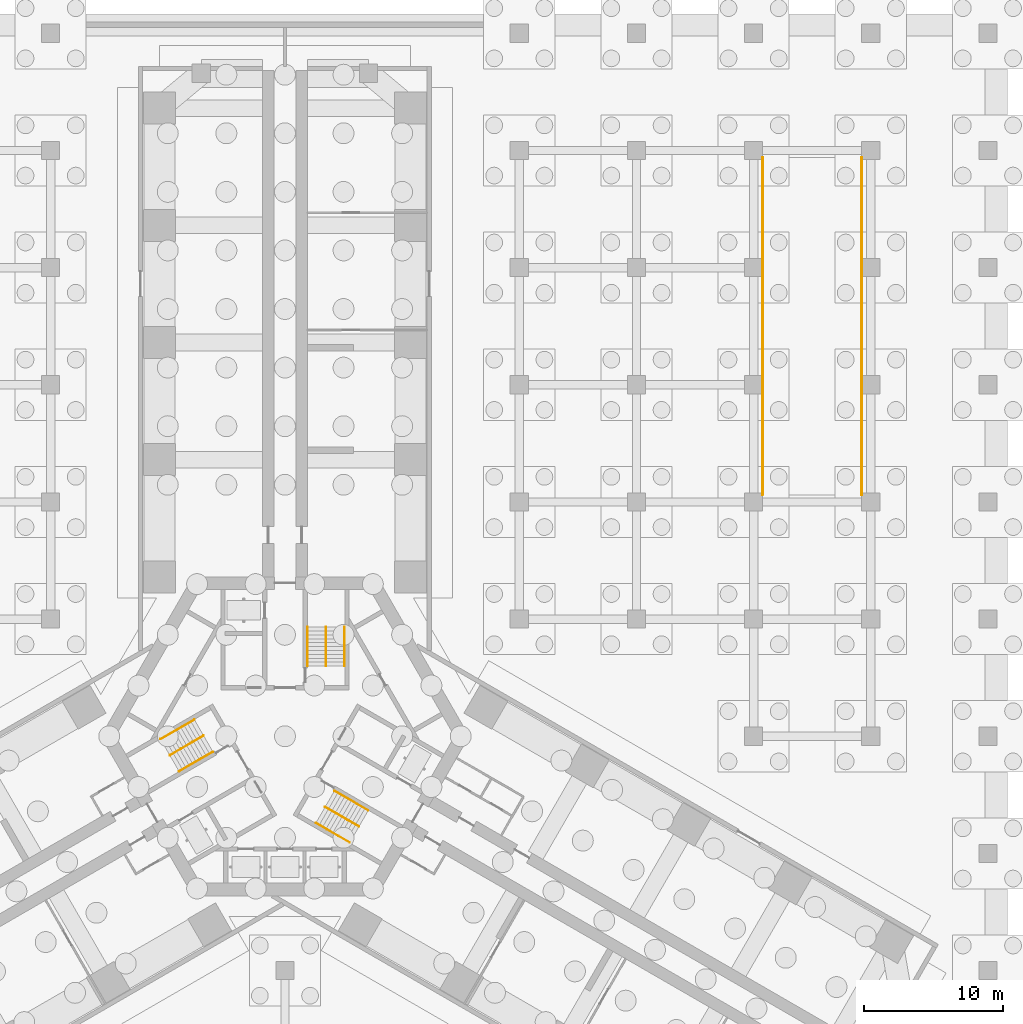
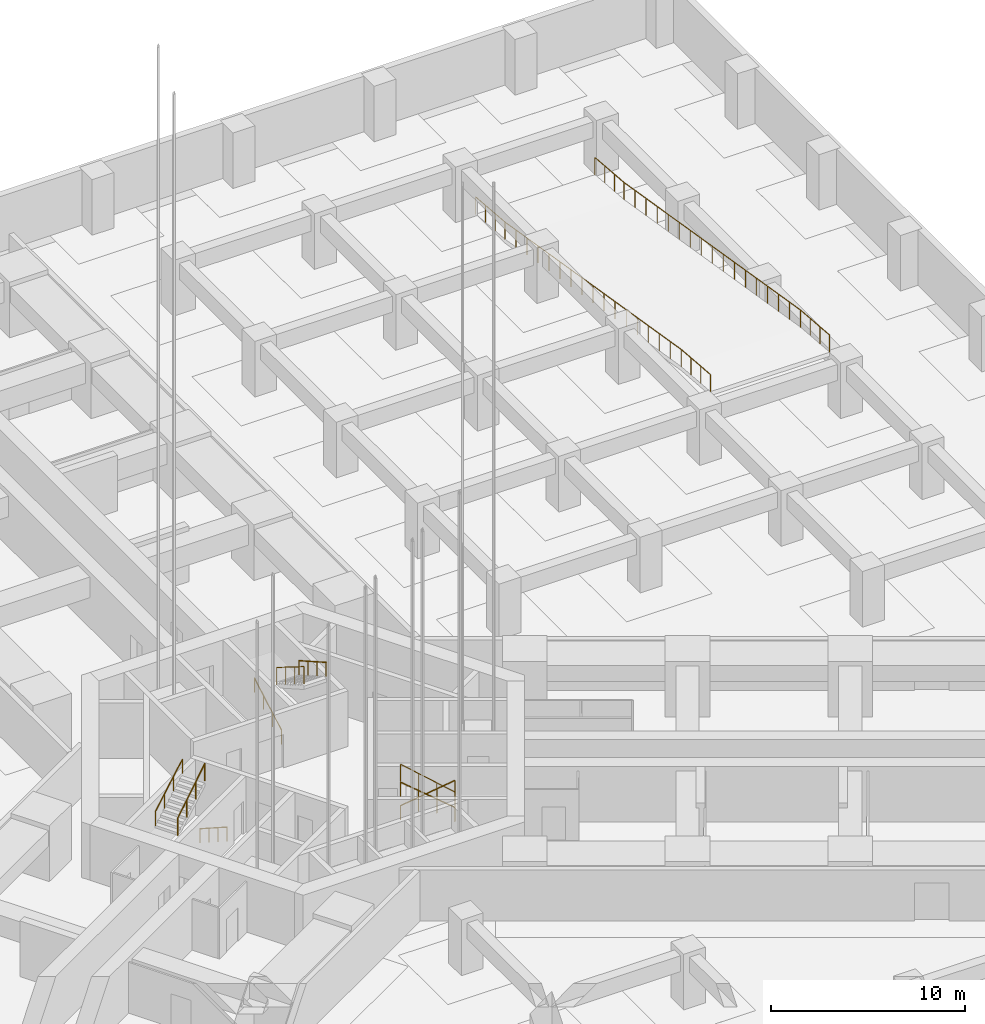
# One storey, part 60 of 73: 11 railings.
"""IFC4 building model written with IfcOpenShell, lengths in metres."""

from ifc_helpers import new_model, si_unit, direction, frame, origin, origin_2d, place, context, subcontext, project, spatial, circle, extrude, material, type_object, element, save


model = new_model("IFC4")

# Units and contexts
model_context = context("Model", 3, precision=1e-05, world=origin(), true_north=direction((0.0, 1.0)))
body_context = subcontext(model_context, "Body", "Model", "MODEL_VIEW")
ifc_project = project(units=[si_unit("LENGTHUNIT", "METRE"), si_unit("AREAUNIT", "SQUARE_METRE"), si_unit("VOLUMEUNIT", "CUBIC_METRE"), si_unit("PLANEANGLEUNIT", "RADIAN"), si_unit("MASSUNIT", "GRAM", prefix="KILO")], contexts=[model_context])

# Site, building, storey
site_placement = place(None, origin())
site = spatial("IfcSite", under=ifc_project, at=site_placement, CompositionType="ELEMENT")
building_placement = place(site_placement, origin())
building = spatial("IfcBuilding", under=site, at=building_placement, Name="Impinga Residences", CompositionType="ELEMENT")
storey_placement = place(building_placement, frame((0.0, 0.0, -10.5)))
storey = spatial("IfcBuildingStorey", under=building, at=storey_placement, Name="B3", CompositionType="ELEMENT", Elevation=-10.5)

# Railings
ifc_material_1 = material(Name="Steel guard, powder coated", Category="steel")
railing_type_1 = type_object("IfcRailingType", Name="GR1 stair guard 1100", PredefinedType="GUARDRAIL", material=ifc_material_1)
railing_1_placement = place(storey_placement, frame((2.949951171875, 7.830078125, 1.75)))
element("IfcRailing", 1, at=railing_1_placement, inside=storey, type_object=railing_type_1, Name="Stair guard GR1 ST1 B3", PredefinedType="GUARDRAIL", context=body_context, shape_type="SweptSolid", body=[
    extrude(circle(Radius=0.02392578125, at=origin_2d()), frame((0.0, 0.0, 1.076171875), z_axis=(0.0, -0.848002457836, 0.529992293815), x_axis=(1.0, 0.0, 0.0)), (0.0, 0.0, 1.0), 3.302001953125),
    extrude(circle(Radius=0.02099609375, at=origin_2d()), origin(), (0.0, 0.0, 1.0), 1.052001953125),
    extrude(circle(Radius=0.02099609375, at=origin_2d()), frame((0.0, -0.933349609375, 0.583251953125)), (0.0, 0.0, 1.0), 1.052001953125),
    extrude(circle(Radius=0.02099609375, at=origin_2d()), frame((0.0, -1.86669921875, 1.166748046875)), (0.0, 0.0, 1.0), 1.052001953125),
    extrude(circle(Radius=0.02099609375, at=origin_2d()), frame((0.0, -2.800048828125, 1.75)), (0.0, 0.0, 1.0), 1.052001953125),
])
railing_2_placement = place(storey_placement, frame((-8.255859375, -1.360107421875, 1.75)))
element("IfcRailing", 2, at=railing_2_placement, inside=storey, type_object=railing_type_1, Name="Stair guard GR1 ST2 B3", PredefinedType="GUARDRAIL", context=body_context, shape_type="SweptSolid", body=[
    extrude(circle(Radius=0.02392578125, at=origin_2d()), frame((0.0, 0.0, 1.076171875), z_axis=(0.734388012738, 0.423981158381, 0.530013418778), x_axis=(-0.49998411664, 0.866034573852, 0.0)), (0.0, 0.0, 1.0), 3.3017578125),
    extrude(circle(Radius=0.02099609375, at=origin_2d()), origin(), (0.0, 0.0, 1.0), 1.052001953125),
    extrude(circle(Radius=0.02099609375, at=origin_2d()), frame((0.808349609375, 0.466552734375, 0.583251953125)), (0.0, 0.0, 1.0), 1.052001953125),
    extrude(circle(Radius=0.02099609375, at=origin_2d()), frame((1.616455078125, 0.933349609375, 1.166748046875)), (0.0, 0.0, 1.0), 1.052001953125),
    extrude(circle(Radius=0.02099609375, at=origin_2d()), frame((2.4248046875, 1.39990234375, 1.75)), (0.0, 0.0, 1.0), 1.052001953125),
])
railing_3_placement = place(storey_placement, frame((5.305908203125, -6.4697265625, 1.75)))
element("IfcRailing", 3, at=railing_3_placement, inside=storey, type_object=railing_type_1, Name="Stair guard GR1 ST3 B3", PredefinedType="GUARDRAIL", context=body_context, shape_type="SweptSolid", body=[
    extrude(circle(Radius=0.02392578125, at=origin_2d()), frame((0.0, 0.0, 1.076171875), z_axis=(-0.734388012738, 0.423981158381, 0.530013418778), x_axis=(-0.49998411664, -0.866034573852, 0.0)), (0.0, 0.0, 1.0), 3.3017578125),
    extrude(circle(Radius=0.02099609375, at=origin_2d()), origin(), (0.0, 0.0, 1.0), 1.052001953125),
    extrude(circle(Radius=0.02099609375, at=origin_2d()), frame((-0.808349609375, 0.466552734375, 0.583251953125)), (0.0, 0.0, 1.0), 1.052001953125),
    extrude(circle(Radius=0.02099609375, at=origin_2d()), frame((-1.616455078125, 0.933349609375, 1.166748046875)), (0.0, 0.0, 1.0), 1.052001953125),
    extrude(circle(Radius=0.02099609375, at=origin_2d()), frame((-2.4248046875, 1.39990234375, 1.75)), (0.0, 0.0, 1.0), 1.052001953125),
])
ifc_material_2 = material(Name="Steel guard, galvanised", Category="steel")
railing_type_2 = type_object("IfcRailingType", Name="GR2 ramp and opening guard 1100", PredefinedType="GUARDRAIL", material=ifc_material_2)
railing_4_placement = place(storey_placement, frame((34.25, 41.5, 0.0)))
element("IfcRailing", 4, at=railing_4_placement, inside=storey, type_object=railing_type_2, Name="Ramp guard GR2 W B3", PredefinedType="GUARDRAIL", context=body_context, shape_type="SweptSolid", body=[
    extrude(circle(Radius=0.02392578125, at=origin_2d()), frame((0.0, 0.0, 1.076171875), z_axis=(0.0, -0.99661255374, 0.082240000773), x_axis=(1.0, 0.0, 0.0)), (0.0, 0.0, 1.0), 3.01025390625),
    extrude(circle(Radius=0.02392578125, at=origin_2d()), frame((0.0, -3.0, 1.32373046875), z_axis=(0.0, -0.986642820524, 0.162898571841), x_axis=(1.0, 0.0, 0.0)), (0.0, 0.0, 1.0), 18.4462890625),
    extrude(circle(Radius=0.02392578125, at=origin_2d()), frame((0.0, -21.199951171875, 4.32861328125), z_axis=(0.0, -0.99661255374, 0.082240000773), x_axis=(1.0, 0.0, 0.0)), (0.0, 0.0, 1.0), 3.01025390625),
    extrude(circle(Radius=0.02099609375, at=origin_2d()), origin(), (0.0, 0.0, 1.0), 1.052001953125),
    extrude(circle(Radius=0.02099609375, at=origin_2d()), frame((0.0, -1.0, 0.08251953125)), (0.0, 0.0, 1.0), 1.052001953125),
    extrude(circle(Radius=0.02099609375, at=origin_2d()), frame((0.0, -2.0, 0.1650390625)), (0.0, 0.0, 1.0), 1.052001953125),
    extrude(circle(Radius=0.02099609375, at=origin_2d()), frame((0.0, -3.0, 0.24755859375)), (0.0, 0.0, 1.0), 1.052001953125),
    extrude(circle(Radius=0.02099609375, at=origin_2d()), frame((0.0, -4.137451171875, 0.435302734375)), (0.0, 0.0, 1.0), 1.052001953125),
    extrude(circle(Radius=0.02099609375, at=origin_2d()), frame((0.0, -5.27490234375, 0.623046875)), (0.0, 0.0, 1.0), 1.052001953125),
    extrude(circle(Radius=0.02099609375, at=origin_2d()), frame((0.0, -6.41259765625, 0.81103515625)), (0.0, 0.0, 1.0), 1.052001953125),
    extrude(circle(Radius=0.02099609375, at=origin_2d()), frame((0.0, -7.550048828125, 0.998779296875)), (0.0, 0.0, 1.0), 1.052001953125),
    extrude(circle(Radius=0.02099609375, at=origin_2d()), frame((0.0, -8.6875, 1.1865234375)), (0.0, 0.0, 1.0), 1.052001953125),
    extrude(circle(Radius=0.02099609375, at=origin_2d()), frame((0.0, -9.824951171875, 1.37451171875)), (0.0, 0.0, 1.0), 1.052001953125),
    extrude(circle(Radius=0.02099609375, at=origin_2d()), frame((0.0, -10.96240234375, 1.562255859375)), (0.0, 0.0, 1.0), 1.052001953125),
    extrude(circle(Radius=0.02099609375, at=origin_2d()), frame((0.0, -12.10009765625, 1.75)), (0.0, 0.0, 1.0), 1.052001953125),
    extrude(circle(Radius=0.02099609375, at=origin_2d()), frame((0.0, -13.237548828125, 1.937744140625)), (0.0, 0.0, 1.0), 1.052001953125),
    extrude(circle(Radius=0.02099609375, at=origin_2d()), frame((0.0, -14.375, 2.12548828125)), (0.0, 0.0, 1.0), 1.052001953125),
    extrude(circle(Radius=0.02099609375, at=origin_2d()), frame((0.0, -15.512451171875, 2.3134765625)), (0.0, 0.0, 1.0), 1.052001953125),
    extrude(circle(Radius=0.02099609375, at=origin_2d()), frame((0.0, -16.64990234375, 2.501220703125)), (0.0, 0.0, 1.0), 1.052001953125),
    extrude(circle(Radius=0.02099609375, at=origin_2d()), frame((0.0, -17.787353515625, 2.68896484375)), (0.0, 0.0, 1.0), 1.052001953125),
    extrude(circle(Radius=0.02099609375, at=origin_2d()), frame((0.0, -18.925048828125, 2.876953125)), (0.0, 0.0, 1.0), 1.052001953125),
    extrude(circle(Radius=0.02099609375, at=origin_2d()), frame((0.0, -20.0625, 3.064697265625)), (0.0, 0.0, 1.0), 1.052001953125),
    extrude(circle(Radius=0.02099609375, at=origin_2d()), frame((0.0, -21.199951171875, 3.25244140625)), (0.0, 0.0, 1.0), 1.052001953125),
    extrude(circle(Radius=0.02099609375, at=origin_2d()), frame((0.0, -22.199951171875, 3.3349609375)), (0.0, 0.0, 1.0), 1.052001953125),
    extrude(circle(Radius=0.02099609375, at=origin_2d()), frame((0.0, -23.199951171875, 3.41748046875)), (0.0, 0.0, 1.0), 1.052001953125),
    extrude(circle(Radius=0.02099609375, at=origin_2d()), frame((0.0, -24.199951171875, 3.5)), (0.0, 0.0, 1.0), 1.052001953125),
])
railing_5_placement = place(storey_placement, frame((41.35009765625, 41.5, 0.0)))
element("IfcRailing", 5, at=railing_5_placement, inside=storey, type_object=railing_type_2, Name="Ramp guard GR2 E B3", PredefinedType="GUARDRAIL", context=body_context, shape_type="SweptSolid", body=[
    extrude(circle(Radius=0.02392578125, at=origin_2d()), frame((0.0, 0.0, 1.076171875), z_axis=(0.0, -0.99661255374, 0.082240000773), x_axis=(1.0, 0.0, 0.0)), (0.0, 0.0, 1.0), 3.01025390625),
    extrude(circle(Radius=0.02392578125, at=origin_2d()), frame((0.0, -3.0, 1.32373046875), z_axis=(0.0, -0.986642820524, 0.162898571841), x_axis=(1.0, 0.0, 0.0)), (0.0, 0.0, 1.0), 18.4462890625),
    extrude(circle(Radius=0.02392578125, at=origin_2d()), frame((0.0, -21.199951171875, 4.32861328125), z_axis=(0.0, -0.99661255374, 0.082240000773), x_axis=(1.0, 0.0, 0.0)), (0.0, 0.0, 1.0), 3.01025390625),
    extrude(circle(Radius=0.02099609375, at=origin_2d()), origin(), (0.0, 0.0, 1.0), 1.052001953125),
    extrude(circle(Radius=0.02099609375, at=origin_2d()), frame((0.0, -1.0, 0.08251953125)), (0.0, 0.0, 1.0), 1.052001953125),
    extrude(circle(Radius=0.02099609375, at=origin_2d()), frame((0.0, -2.0, 0.1650390625)), (0.0, 0.0, 1.0), 1.052001953125),
    extrude(circle(Radius=0.02099609375, at=origin_2d()), frame((0.0, -3.0, 0.24755859375)), (0.0, 0.0, 1.0), 1.052001953125),
    extrude(circle(Radius=0.02099609375, at=origin_2d()), frame((0.0, -4.137451171875, 0.435302734375)), (0.0, 0.0, 1.0), 1.052001953125),
    extrude(circle(Radius=0.02099609375, at=origin_2d()), frame((0.0, -5.27490234375, 0.623046875)), (0.0, 0.0, 1.0), 1.052001953125),
    extrude(circle(Radius=0.02099609375, at=origin_2d()), frame((0.0, -6.41259765625, 0.81103515625)), (0.0, 0.0, 1.0), 1.052001953125),
    extrude(circle(Radius=0.02099609375, at=origin_2d()), frame((0.0, -7.550048828125, 0.998779296875)), (0.0, 0.0, 1.0), 1.052001953125),
    extrude(circle(Radius=0.02099609375, at=origin_2d()), frame((0.0, -8.6875, 1.1865234375)), (0.0, 0.0, 1.0), 1.052001953125),
    extrude(circle(Radius=0.02099609375, at=origin_2d()), frame((0.0, -9.824951171875, 1.37451171875)), (0.0, 0.0, 1.0), 1.052001953125),
    extrude(circle(Radius=0.02099609375, at=origin_2d()), frame((0.0, -10.96240234375, 1.562255859375)), (0.0, 0.0, 1.0), 1.052001953125),
    extrude(circle(Radius=0.02099609375, at=origin_2d()), frame((0.0, -12.10009765625, 1.75)), (0.0, 0.0, 1.0), 1.052001953125),
    extrude(circle(Radius=0.02099609375, at=origin_2d()), frame((0.0, -13.237548828125, 1.937744140625)), (0.0, 0.0, 1.0), 1.052001953125),
    extrude(circle(Radius=0.02099609375, at=origin_2d()), frame((0.0, -14.375, 2.12548828125)), (0.0, 0.0, 1.0), 1.052001953125),
    extrude(circle(Radius=0.02099609375, at=origin_2d()), frame((0.0, -15.512451171875, 2.3134765625)), (0.0, 0.0, 1.0), 1.052001953125),
    extrude(circle(Radius=0.02099609375, at=origin_2d()), frame((0.0, -16.64990234375, 2.501220703125)), (0.0, 0.0, 1.0), 1.052001953125),
    extrude(circle(Radius=0.02099609375, at=origin_2d()), frame((0.0, -17.787353515625, 2.68896484375)), (0.0, 0.0, 1.0), 1.052001953125),
    extrude(circle(Radius=0.02099609375, at=origin_2d()), frame((0.0, -18.925048828125, 2.876953125)), (0.0, 0.0, 1.0), 1.052001953125),
    extrude(circle(Radius=0.02099609375, at=origin_2d()), frame((0.0, -20.0625, 3.064697265625)), (0.0, 0.0, 1.0), 1.052001953125),
    extrude(circle(Radius=0.02099609375, at=origin_2d()), frame((0.0, -21.199951171875, 3.25244140625)), (0.0, 0.0, 1.0), 1.052001953125),
    extrude(circle(Radius=0.02099609375, at=origin_2d()), frame((0.0, -22.199951171875, 3.3349609375)), (0.0, 0.0, 1.0), 1.052001953125),
    extrude(circle(Radius=0.02099609375, at=origin_2d()), frame((0.0, -23.199951171875, 3.41748046875)), (0.0, 0.0, 1.0), 1.052001953125),
    extrude(circle(Radius=0.02099609375, at=origin_2d()), frame((0.0, -24.199951171875, 3.5)), (0.0, 0.0, 1.0), 1.052001953125),
])
ifc_material_3 = material(Name="Steel handrail tube 42 mm, powder coated", Category="steel")
railing_type_3 = type_object("IfcRailingType", Name="HR1 stair handrail, 42 mm steel tube, 900 above the pitch line", PredefinedType="HANDRAIL", material=ifc_material_3)
railing_6_placement = place(storey_placement, frame((1.62109375, 5.030029296875, 0.1591796875)))
element("IfcRailing", 6, at=railing_6_placement, inside=storey, type_object=railing_type_3, Name="Stair handrail HR1 ST1 B3", PredefinedType="HANDRAIL", context=body_context, shape_type="SweptSolid", body=[
    extrude(circle(Radius=0.02099609375, at=origin_2d()), frame((0.0, 0.0, 0.87890625), z_axis=(0.0, 0.869472097993, 0.493982055151), x_axis=(-1.0, 0.0, 0.0)), (0.0, 0.0, 1.0), 3.220458984375),
    extrude(circle(Radius=0.012451171875, at=origin_2d()), origin(), (0.0, 0.0, 1.0), 0.85791015625),
    extrude(circle(Radius=0.012451171875, at=origin_2d()), frame((0.0, 0.933349609375, 0.5302734375)), (0.0, 0.0, 1.0), 0.85791015625),
    extrude(circle(Radius=0.012451171875, at=origin_2d()), frame((0.0, 1.86669921875, 1.060546875)), (0.0, 0.0, 1.0), 0.85791015625),
    extrude(circle(Radius=0.012451171875, at=origin_2d()), frame((0.0, 2.800048828125, 1.5908203125)), (0.0, 0.0, 1.0), 0.85791015625),
])
railing_7_placement = place(storey_placement, frame((4.279052734375, 7.830078125, 1.9091796875)))
element("IfcRailing", 7, at=railing_7_placement, inside=storey, type_object=railing_type_3, Name="Stair handrail HR1 ST1 B3", PredefinedType="HANDRAIL", context=body_context, shape_type="SweptSolid", body=[
    extrude(circle(Radius=0.02099609375, at=origin_2d()), frame((0.0, 0.0, 0.87890625), z_axis=(0.0, -0.869472097993, 0.493982055151), x_axis=(1.0, 0.0, 0.0)), (0.0, 0.0, 1.0), 3.220458984375),
    extrude(circle(Radius=0.012451171875, at=origin_2d()), origin(), (0.0, 0.0, 1.0), 0.85791015625),
    extrude(circle(Radius=0.012451171875, at=origin_2d()), frame((0.0, -0.933349609375, 0.5302734375)), (0.0, 0.0, 1.0), 0.85791015625),
    extrude(circle(Radius=0.012451171875, at=origin_2d()), frame((0.0, -1.86669921875, 1.060546875)), (0.0, 0.0, 1.0), 0.85791015625),
    extrude(circle(Radius=0.012451171875, at=origin_2d()), frame((0.0, -2.800048828125, 1.5908203125)), (0.0, 0.0, 1.0), 0.85791015625),
])
railing_8_placement = place(storey_placement, frame((-5.16650390625, -1.111083984375, 0.1591796875)))
element("IfcRailing", 8, at=railing_8_placement, inside=storey, type_object=railing_type_3, Name="Stair handrail HR1 ST2 B3", PredefinedType="HANDRAIL", context=body_context, shape_type="SweptSolid", body=[
    extrude(circle(Radius=0.02099609375, at=origin_2d()), frame((0.0, 0.0, 0.87890625), z_axis=(-0.752990723159, -0.434753024999, 0.493958275657), x_axis=(0.500011755427, -0.866018616679, 0.0)), (0.0, 0.0, 1.0), 3.220458984375),
    extrude(circle(Radius=0.012451171875, at=origin_2d()), origin(), (0.0, 0.0, 1.0), 0.85791015625),
    extrude(circle(Radius=0.012451171875, at=origin_2d()), frame((-0.808349609375, -0.466796875, 0.5302734375)), (0.0, 0.0, 1.0), 0.85791015625),
    extrude(circle(Radius=0.012451171875, at=origin_2d()), frame((-1.61669921875, -0.933349609375, 1.060546875)), (0.0, 0.0, 1.0), 0.85791015625),
    extrude(circle(Radius=0.012451171875, at=origin_2d()), frame((-2.425048828125, -1.400146484375, 1.5908203125)), (0.0, 0.0, 1.0), 0.85791015625),
])
railing_9_placement = place(storey_placement, frame((-8.92041015625, -0.209228515625, 1.9091796875)))
element("IfcRailing", 9, at=railing_9_placement, inside=storey, type_object=railing_type_3, Name="Stair handrail HR1 ST2 B3", PredefinedType="HANDRAIL", context=body_context, shape_type="SweptSolid", body=[
    extrude(circle(Radius=0.02099609375, at=origin_2d()), frame((0.0, 0.0, 0.87890625), z_axis=(0.752982712915, 0.434716358826, 0.494002754466), x_axis=(-0.49998411664, 0.866034573852, 0.0)), (0.0, 0.0, 1.0), 3.22021484375),
    extrude(circle(Radius=0.012451171875, at=origin_2d()), origin(), (0.0, 0.0, 1.0), 0.85791015625),
    extrude(circle(Radius=0.012451171875, at=origin_2d()), frame((0.808349609375, 0.466552734375, 0.5302734375)), (0.0, 0.0, 1.0), 0.85791015625),
    extrude(circle(Radius=0.012451171875, at=origin_2d()), frame((1.616455078125, 0.933349609375, 1.060546875)), (0.0, 0.0, 1.0), 0.85791015625),
    extrude(circle(Radius=0.012451171875, at=origin_2d()), frame((2.4248046875, 1.39990234375, 1.5908203125)), (0.0, 0.0, 1.0), 0.85791015625),
])
railing_10_placement = place(storey_placement, frame((3.545654296875, -3.9189453125, 0.1591796875)))
element("IfcRailing", 10, at=railing_10_placement, inside=storey, type_object=railing_type_3, Name="Stair handrail HR1 ST3 B3", PredefinedType="HANDRAIL", context=body_context, shape_type="SweptSolid", body=[
    extrude(circle(Radius=0.02099609375, at=origin_2d()), frame((0.0, 0.0, 0.87890625), z_axis=(0.752982712915, -0.434716358826, 0.494002754466), x_axis=(0.49998411664, 0.866034573852, 0.0)), (0.0, 0.0, 1.0), 3.22021484375),
    extrude(circle(Radius=0.012451171875, at=origin_2d()), origin(), (0.0, 0.0, 1.0), 0.85791015625),
    extrude(circle(Radius=0.012451171875, at=origin_2d()), frame((0.808349609375, -0.466552734375, 0.5302734375)), (0.0, 0.0, 1.0), 0.85791015625),
    extrude(circle(Radius=0.012451171875, at=origin_2d()), frame((1.616455078125, -0.933349609375, 1.060546875)), (0.0, 0.0, 1.0), 0.85791015625),
    extrude(circle(Radius=0.012451171875, at=origin_2d()), frame((2.4248046875, -1.39990234375, 1.5908203125)), (0.0, 0.0, 1.0), 0.85791015625),
])
railing_11_placement = place(storey_placement, frame((4.641357421875, -7.62060546875, 1.9091796875)))
element("IfcRailing", 11, at=railing_11_placement, inside=storey, type_object=railing_type_3, Name="Stair handrail HR1 ST3 B3", PredefinedType="HANDRAIL", context=body_context, shape_type="SweptSolid", body=[
    extrude(circle(Radius=0.02099609375, at=origin_2d()), frame((0.0, 0.0, 0.87890625), z_axis=(-0.752982712915, 0.434716358826, 0.494002754466), x_axis=(-0.49998411664, -0.866034573852, 0.0)), (0.0, 0.0, 1.0), 3.22021484375),
    extrude(circle(Radius=0.012451171875, at=origin_2d()), origin(), (0.0, 0.0, 1.0), 0.85791015625),
    extrude(circle(Radius=0.012451171875, at=origin_2d()), frame((-0.808349609375, 0.466552734375, 0.5302734375)), (0.0, 0.0, 1.0), 0.85791015625),
    extrude(circle(Radius=0.012451171875, at=origin_2d()), frame((-1.616455078125, 0.933349609375, 1.060546875)), (0.0, 0.0, 1.0), 0.85791015625),
    extrude(circle(Radius=0.012451171875, at=origin_2d()), frame((-2.4248046875, 1.39990234375, 1.5908203125)), (0.0, 0.0, 1.0), 0.85791015625),
])

save(model, "model.ifc")
